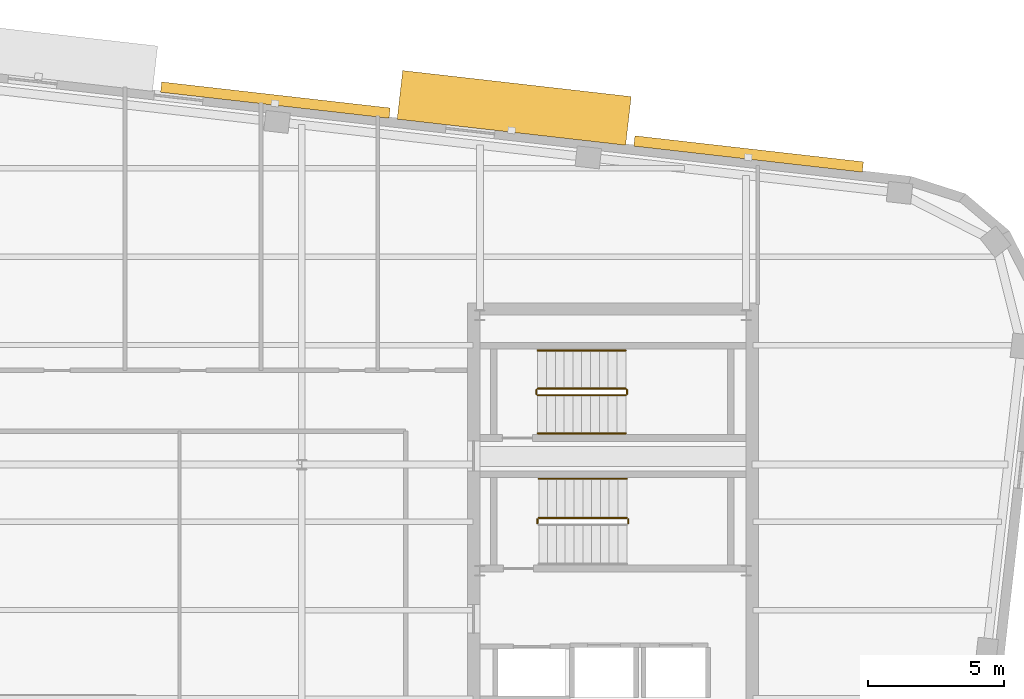
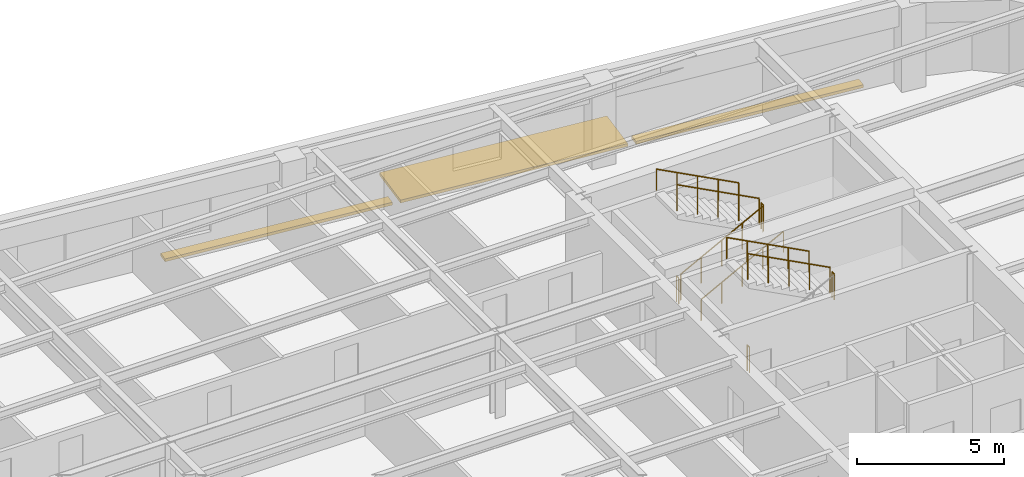
# One storey, part 13 of 13: 10 railings, 3 shading devices.
"""IFC4 building model written with IfcOpenShell, lengths in metres."""

from ifc_helpers import new_model, si_unit, direction, frame, origin, origin_2d, place, context, subcontext, project, spatial, rectangle, circle, extrude, material, type_object, element, save


model = new_model("IFC4")

# Units and contexts
model_context = context("Model", 3, precision=1e-05, world=origin(), true_north=direction((0.0, 1.0)))
body_context = subcontext(model_context, "Body", "Model", "MODEL_VIEW")
ifc_project = project(units=[si_unit("LENGTHUNIT", "METRE"), si_unit("AREAUNIT", "SQUARE_METRE"), si_unit("VOLUMEUNIT", "CUBIC_METRE"), si_unit("PLANEANGLEUNIT", "RADIAN"), si_unit("MASSUNIT", "GRAM", prefix="KILO")], contexts=[model_context])

# Site, building, storey
site_placement = place(None, origin())
site = spatial("IfcSite", under=ifc_project, at=site_placement, CompositionType="ELEMENT")
building_placement = place(site_placement, origin())
building = spatial("IfcBuilding", under=site, at=building_placement, Name="Kolvaren Arena Tower", CompositionType="ELEMENT")
storey_placement = place(building_placement, frame((0.0, 0.0, 239.699951171875)))
storey = spatial("IfcBuildingStorey", under=building, at=storey_placement, Name="L58", CompositionType="ELEMENT", Elevation=239.699951171875)

# Railings
ifc_material_1 = material(Name="Painted galvanized steel", Category="steel")
railing_type_1 = type_object("IfcRailingType", Name="GUARD-ST-110", PredefinedType="GUARDRAIL", material=ifc_material_1)
railing_1_placement = place(storey_placement, frame((56.010009765625, 31.68994140625, 1.875)))
element("IfcRailing", 1, at=railing_1_placement, inside=storey, type_object=railing_type_1, Name="L58 ST-E1 stair guard 2", PredefinedType="GUARDRAIL", context=body_context, shape_type="SweptSolid", body=[
    extrude(circle(Radius=0.02392578125, at=origin_2d()), frame((0.0, 0.0, 1.076171875), z_axis=(0.0, 1.0, 0.0), x_axis=(-1.0, 0.0, 0.0)), (0.0, 0.0, 1.0), 0.150146484375),
    extrude(circle(Radius=0.02099609375, at=origin_2d()), origin(), (0.0, 0.0, 1.0), 1.052001953125),
    extrude(circle(Radius=0.02099609375, at=origin_2d()), frame((0.0, 0.150146484375, 0.0)), (0.0, 0.0, 1.0), 1.052001953125),
])
railing_2_placement = place(storey_placement, frame((55.9599609375, 31.889892578125, 2.04541015625)))
element("IfcRailing", 2, at=railing_2_placement, inside=storey, type_object=railing_type_1, Name="L58 ST-E1 stair guard 3", PredefinedType="GUARDRAIL", context=body_context, shape_type="SweptSolid", body=[
    extrude(circle(Radius=0.02392578125, at=origin_2d()), frame((0.0, 0.0, 1.076171875), z_axis=(-0.884993431791, 0.0, 0.465603506952), x_axis=(0.0, -1.0, 0.0)), (0.0, 0.0, 1.0), 3.6611328125),
    extrude(circle(Radius=0.02099609375, at=origin_2d()), origin(), (0.0, 0.0, 1.0), 1.052001953125),
    extrude(circle(Radius=0.02099609375, at=origin_2d()), frame((-0.81005859375, 0.0, 0.42626953125)), (0.0, 0.0, 1.0), 1.052001953125),
    extrude(circle(Radius=0.02099609375, at=origin_2d()), frame((-1.6201171875, 0.0, 0.852294921875)), (0.0, 0.0, 1.0), 1.052001953125),
    extrude(circle(Radius=0.02099609375, at=origin_2d()), frame((-2.429931640625, 0.0, 1.2783203125)), (0.0, 0.0, 1.0), 1.052001953125),
    extrude(circle(Radius=0.02099609375, at=origin_2d()), frame((-3.239990234375, 0.0, 1.70458984375)), (0.0, 0.0, 1.0), 1.052001953125),
])
railing_3_placement = place(storey_placement, frame((52.669921875, 31.68994140625, 0.0)))
element("IfcRailing", 3, at=railing_3_placement, inside=storey, type_object=railing_type_1, Name="L58 ST-E1 stair guard 4", PredefinedType="GUARDRAIL", context=body_context, shape_type="SweptSolid", body=[
    extrude(circle(Radius=0.02392578125, at=origin_2d()), frame((0.0, 0.0, 1.076171875), z_axis=(0.0, 1.0, 0.0), x_axis=(-1.0, 0.0, 0.0)), (0.0, 0.0, 1.0), 0.150146484375),
    extrude(circle(Radius=0.02099609375, at=origin_2d()), origin(), (0.0, 0.0, 1.0), 1.052001953125),
    extrude(circle(Radius=0.02099609375, at=origin_2d()), frame((0.0, 0.150146484375, 0.0)), (0.0, 0.0, 1.0), 1.052001953125),
])
railing_4_placement = place(storey_placement, frame((52.679931640625, 36.39990234375, 0.17041015625)))
element("IfcRailing", 4, at=railing_4_placement, inside=storey, type_object=railing_type_1, Name="L58 ST-E2 stair guard 1", PredefinedType="GUARDRAIL", context=body_context, shape_type="SweptSolid", body=[
    extrude(circle(Radius=0.02392578125, at=origin_2d()), frame((0.0, 0.0, 1.076171875), z_axis=(0.884993431791, 0.0, 0.465603506952), x_axis=(0.0, 1.0, 0.0)), (0.0, 0.0, 1.0), 3.6611328125),
    extrude(circle(Radius=0.02099609375, at=origin_2d()), origin(), (0.0, 0.0, 1.0), 1.052001953125),
    extrude(circle(Radius=0.02099609375, at=origin_2d()), frame((0.81005859375, 0.0, 0.42626953125)), (0.0, 0.0, 1.0), 1.052001953125),
    extrude(circle(Radius=0.02099609375, at=origin_2d()), frame((1.6201171875, 0.0, 0.852294921875)), (0.0, 0.0, 1.0), 1.052001953125),
    extrude(circle(Radius=0.02099609375, at=origin_2d()), frame((2.429931640625, 0.0, 1.2783203125)), (0.0, 0.0, 1.0), 1.052001953125),
    extrude(circle(Radius=0.02099609375, at=origin_2d()), frame((3.239990234375, 0.0, 1.70458984375)), (0.0, 0.0, 1.0), 1.052001953125),
])
railing_5_placement = place(storey_placement, frame((55.969970703125, 36.449951171875, 1.875)))
element("IfcRailing", 5, at=railing_5_placement, inside=storey, type_object=railing_type_1, Name="L58 ST-E2 stair guard 2", PredefinedType="GUARDRAIL", context=body_context, shape_type="SweptSolid", body=[
    extrude(circle(Radius=0.02392578125, at=origin_2d()), frame((0.0, 0.0, 1.076171875), z_axis=(0.0, 1.0, 0.0), x_axis=(-1.0, 0.0, 0.0)), (0.0, 0.0, 1.0), 0.150146484375),
    extrude(circle(Radius=0.02099609375, at=origin_2d()), origin(), (0.0, 0.0, 1.0), 1.052001953125),
    extrude(circle(Radius=0.02099609375, at=origin_2d()), frame((0.0, 0.150146484375, 0.0)), (0.0, 0.0, 1.0), 1.052001953125),
])
railing_6_placement = place(storey_placement, frame((55.919921875, 36.64990234375, 2.04541015625)))
element("IfcRailing", 6, at=railing_6_placement, inside=storey, type_object=railing_type_1, Name="L58 ST-E2 stair guard 3", PredefinedType="GUARDRAIL", context=body_context, shape_type="SweptSolid", body=[
    extrude(circle(Radius=0.02392578125, at=origin_2d()), frame((0.0, 0.0, 1.076171875), z_axis=(-0.884993431791, 0.0, 0.465603506952), x_axis=(0.0, -1.0, 0.0)), (0.0, 0.0, 1.0), 3.6611328125),
    extrude(circle(Radius=0.02099609375, at=origin_2d()), origin(), (0.0, 0.0, 1.0), 1.052001953125),
    extrude(circle(Radius=0.02099609375, at=origin_2d()), frame((-0.81005859375, 0.0, 0.42626953125)), (0.0, 0.0, 1.0), 1.052001953125),
    extrude(circle(Radius=0.02099609375, at=origin_2d()), frame((-1.6201171875, 0.0, 0.852294921875)), (0.0, 0.0, 1.0), 1.052001953125),
    extrude(circle(Radius=0.02099609375, at=origin_2d()), frame((-2.429931640625, 0.0, 1.2783203125)), (0.0, 0.0, 1.0), 1.052001953125),
    extrude(circle(Radius=0.02099609375, at=origin_2d()), frame((-3.239990234375, 0.0, 1.70458984375)), (0.0, 0.0, 1.0), 1.052001953125),
])
railing_7_placement = place(storey_placement, frame((52.6298828125, 36.449951171875, 0.0)))
element("IfcRailing", 7, at=railing_7_placement, inside=storey, type_object=railing_type_1, Name="L58 ST-E2 stair guard 4", PredefinedType="GUARDRAIL", context=body_context, shape_type="SweptSolid", body=[
    extrude(circle(Radius=0.02392578125, at=origin_2d()), frame((0.0, 0.0, 1.076171875), z_axis=(0.0, 1.0, 0.0), x_axis=(-1.0, 0.0, 0.0)), (0.0, 0.0, 1.0), 0.150146484375),
    extrude(circle(Radius=0.02099609375, at=origin_2d()), origin(), (0.0, 0.0, 1.0), 1.052001953125),
    extrude(circle(Radius=0.02099609375, at=origin_2d()), frame((0.0, 0.150146484375, 0.0)), (0.0, 0.0, 1.0), 1.052001953125),
])
ifc_material_2 = material(Name="Brushed stainless steel handrail", Category="steel")
railing_type_2 = type_object("IfcRailingType", Name="HRAIL-900", PredefinedType="HANDRAIL", material=ifc_material_2)
railing_8_placement = place(storey_placement, frame((55.9599609375, 33.330078125, 2.04541015625)))
element("IfcRailing", 8, at=railing_8_placement, inside=storey, type_object=railing_type_2, Name="L58 ST-E1 stair handrail 2", PredefinedType="HANDRAIL", context=body_context, shape_type="SweptSolid", body=[
    extrude(circle(Radius=0.02392578125, at=origin_2d()), frame((0.0, 0.0, 0.8759765625), z_axis=(-0.884993431791, 0.0, 0.465603506952), x_axis=(0.0, -1.0, 0.0)), (0.0, 0.0, 1.0), 3.6611328125),
    extrude(circle(Radius=0.02099609375, at=origin_2d()), origin(), (0.0, 0.0, 1.0), 0.851806640625),
    extrude(circle(Radius=0.02099609375, at=origin_2d()), frame((-0.81005859375, 0.0, 0.42626953125)), (0.0, 0.0, 1.0), 0.851806640625),
    extrude(circle(Radius=0.02099609375, at=origin_2d()), frame((-1.6201171875, 0.0, 0.852294921875)), (0.0, 0.0, 1.0), 0.851806640625),
    extrude(circle(Radius=0.02099609375, at=origin_2d()), frame((-2.429931640625, 0.0, 1.2783203125)), (0.0, 0.0, 1.0), 0.851806640625),
    extrude(circle(Radius=0.02099609375, at=origin_2d()), frame((-3.239990234375, 0.0, 1.70458984375)), (0.0, 0.0, 1.0), 0.851806640625),
])
railing_9_placement = place(storey_placement, frame((52.679931640625, 35.0, 0.17041015625)))
element("IfcRailing", 9, at=railing_9_placement, inside=storey, type_object=railing_type_2, Name="L58 ST-E2 stair handrail 1", PredefinedType="HANDRAIL", context=body_context, shape_type="SweptSolid", body=[
    extrude(circle(Radius=0.02392578125, at=origin_2d()), frame((0.0, 0.0, 0.8759765625), z_axis=(0.884993431791, 0.0, 0.465603506952), x_axis=(0.0, 1.0, 0.0)), (0.0, 0.0, 1.0), 3.6611328125),
    extrude(circle(Radius=0.02099609375, at=origin_2d()), origin(), (0.0, 0.0, 1.0), 0.851806640625),
    extrude(circle(Radius=0.02099609375, at=origin_2d()), frame((0.81005859375, 0.0, 0.42626953125)), (0.0, 0.0, 1.0), 0.851806640625),
    extrude(circle(Radius=0.02099609375, at=origin_2d()), frame((1.6201171875, 0.0, 0.852294921875)), (0.0, 0.0, 1.0), 0.851806640625),
    extrude(circle(Radius=0.02099609375, at=origin_2d()), frame((2.429931640625, 0.0, 1.2783203125)), (0.0, 0.0, 1.0), 0.851806640625),
    extrude(circle(Radius=0.02099609375, at=origin_2d()), frame((3.239990234375, 0.0, 1.70458984375)), (0.0, 0.0, 1.0), 0.851806640625),
])
railing_10_placement = place(storey_placement, frame((55.919921875, 38.050048828125, 2.04541015625)))
element("IfcRailing", 10, at=railing_10_placement, inside=storey, type_object=railing_type_2, Name="L58 ST-E2 stair handrail 2", PredefinedType="HANDRAIL", context=body_context, shape_type="SweptSolid", body=[
    extrude(circle(Radius=0.02392578125, at=origin_2d()), frame((0.0, 0.0, 0.8759765625), z_axis=(-0.884993431791, 0.0, 0.465603506952), x_axis=(0.0, -1.0, 0.0)), (0.0, 0.0, 1.0), 3.6611328125),
    extrude(circle(Radius=0.02099609375, at=origin_2d()), origin(), (0.0, 0.0, 1.0), 0.851806640625),
    extrude(circle(Radius=0.02099609375, at=origin_2d()), frame((-0.81005859375, 0.0, 0.42626953125)), (0.0, 0.0, 1.0), 0.851806640625),
    extrude(circle(Radius=0.02099609375, at=origin_2d()), frame((-1.6201171875, 0.0, 0.852294921875)), (0.0, 0.0, 1.0), 0.851806640625),
    extrude(circle(Radius=0.02099609375, at=origin_2d()), frame((-2.429931640625, 0.0, 1.2783203125)), (0.0, 0.0, 1.0), 0.851806640625),
    extrude(circle(Radius=0.02099609375, at=origin_2d()), frame((-3.239990234375, 0.0, 1.70458984375)), (0.0, 0.0, 1.0), 0.851806640625),
])

# Shading devices
ifc_material_3 = material(Name="Architectural precast GFRC and anodised aluminium sunshade", Category="concrete")
shading_device_type_1 = type_object("IfcShadingDeviceType", Name="SHAD-SINE-A", PredefinedType="USERDEFINED", material=ifc_material_3)
shading_device_1_placement = place(storey_placement, frame((43.031005859375, 47.260986328125, -0.139892578125), z_axis=(0.0, 0.0, 1.0), x_axis=(0.993571658098, -0.113204947878, 0.0)))
element("IfcShadingDevice", 11, at=shading_device_1_placement, inside=storey, type_object=shading_device_type_1, Name="Sinusoidal Slab-Edge Sunshade Louvre (L58)", ObjectType="LOUVRE", PredefinedType="USERDEFINED", context=body_context, shape_type="SweptSolid", body=[
    extrude(rectangle(XDim=8.4599609375, YDim=0.381103515625, at=origin_2d()), origin(), (0.0, 0.0, 1.0), 0.1201171875),
])
shading_device_2_placement = place(storey_placement, frame((60.4384765625, 45.278564453125, -0.139892578125), z_axis=(0.0, 0.0, 1.0), x_axis=(0.993571658098, -0.113204947878, 0.0)))
element("IfcShadingDevice", 12, at=shading_device_2_placement, inside=storey, type_object=shading_device_type_1, Name="Sinusoidal Slab-Edge Sunshade Louvre (L58)", ObjectType="LOUVRE", PredefinedType="USERDEFINED", context=body_context, shape_type="SweptSolid", body=[
    extrude(rectangle(XDim=8.4599609375, YDim=0.3828125, at=origin_2d()), origin(), (0.0, 0.0, 1.0), 0.1201171875),
])
shading_device_type_2 = type_object("IfcShadingDeviceType", Name="SHAD-SINE-B", PredefinedType="JALOUSIE", material=ifc_material_3)
shading_device_3_placement = place(storey_placement, frame((51.81494140625, 46.97412109375, -0.139892578125), z_axis=(0.0, 0.0, 1.0), x_axis=(0.993571658098, -0.113204947878, 0.0)))
element("IfcShadingDevice", 13, at=shading_device_3_placement, inside=storey, type_object=shading_device_type_2, Name="Sinusoidal Slab-Edge Sunshade Louvre (L58)", PredefinedType="JALOUSIE", context=body_context, shape_type="SweptSolid", body=[
    extrude(rectangle(XDim=8.4599609375, YDim=1.800048828125, at=origin_2d()), origin(), (0.0, 0.0, 1.0), 0.1201171875),
])

save(model, "model.ifc")
